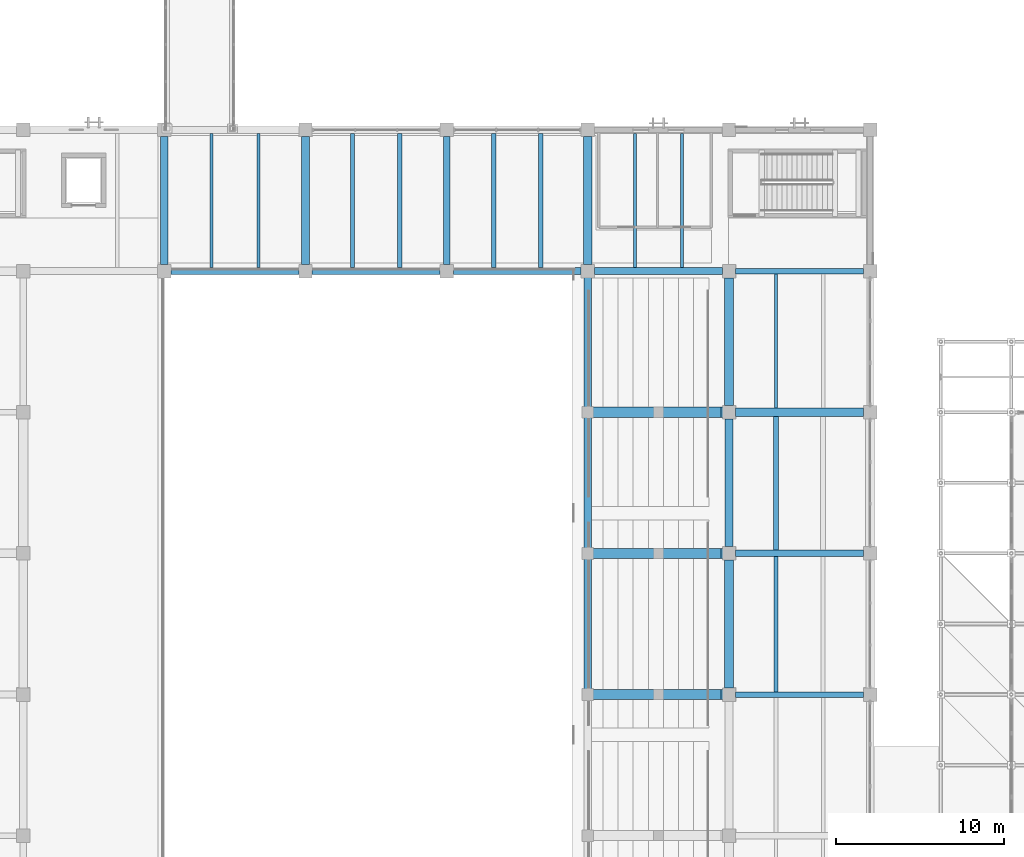
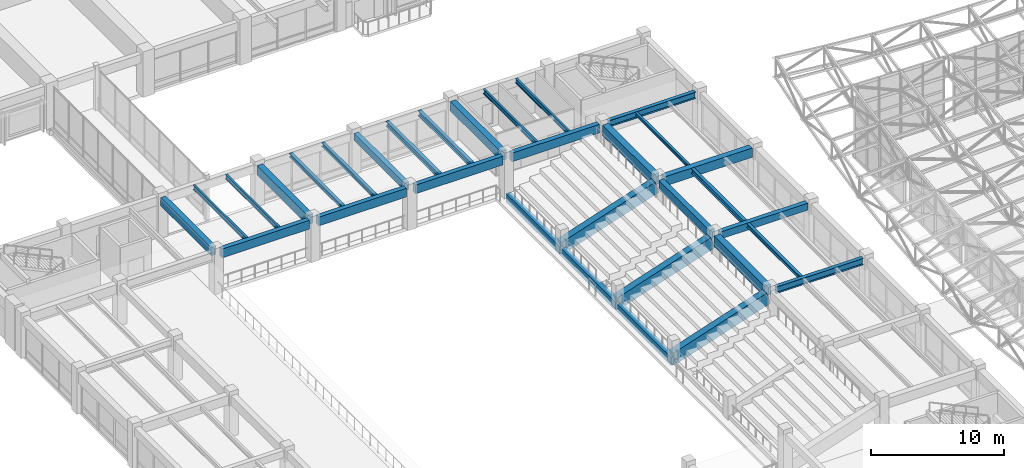
# One storey, part 12 of 132: 32 beams.
"""IFC4 building model written with IfcOpenShell, lengths in metres."""

from ifc_helpers import new_model, si_unit, direction, frame, origin, origin_2d, place, context, subcontext, project, spatial, rectangle, i_section, extrude, material, material_profile, profile_set, type_object, element, save


model = new_model("IFC4")

# Units and contexts
model_context = context("Model", 3, precision=1e-05, world=origin(), true_north=direction((0.0, 1.0)))
body_context = subcontext(model_context, "Body", "Model", "MODEL_VIEW")
ifc_project = project(units=[si_unit("LENGTHUNIT", "METRE"), si_unit("AREAUNIT", "SQUARE_METRE"), si_unit("VOLUMEUNIT", "CUBIC_METRE"), si_unit("PLANEANGLEUNIT", "RADIAN"), si_unit("MASSUNIT", "GRAM", prefix="KILO")], contexts=[model_context])

# Site, building, storey
site_placement = place(None, origin())
site = spatial("IfcSite", under=ifc_project, at=site_placement, CompositionType="ELEMENT")
building_placement = place(site_placement, origin())
building = spatial("IfcBuilding", under=site, at=building_placement, Name="Cumbredor Promenade Congress Hotel", CompositionType="ELEMENT")
storey_placement = place(building_placement, frame((0.0, 0.0, 7.56005859375)))
storey = spatial("IfcBuildingStorey", under=building, at=storey_placement, Name="L02", CompositionType="ELEMENT", Elevation=7.56005859375)

# Beams
ifc_material_1 = material(Name="Concrete C40/50", Category="concrete")
ifc_material_profile_1 = material_profile(ifc_material_1, rectangle(XDim=0.39990234375, YDim=0.64990234375, at=origin_2d()), Name="RC BEAM 400x650")
ifc_profile_set_1 = profile_set([ifc_material_profile_1], Name="Concrete C40/50")
beam_type_1 = type_object("IfcBeamType", Name="BM-RC-400x650", PredefinedType="BEAM", material=ifc_profile_set_1)
for number, where, z_axis, x_axis, name in (
    (1, (42.0, 59.199951171875, 3.474853515625), (0.0, 1.0, 0.0), (-1.0, 0.0, 0.0), "L03 Y-Grid Beam 072"),
    (2, (59.199951171875, 42.0, 3.474853515625), (1.0, 0.0, 0.0), (0.0, 1.0, 0.0), "L03 X-Grid Beam 100"),
):
    element("IfcBeam", number, at=place(storey_placement, frame(where, z_axis=z_axis, x_axis=x_axis)), inside=storey, type_object=beam_type_1, Name=name, PredefinedType="BEAM", context=body_context, shape_type="SweptSolid", body=[
        extrude(rectangle(XDim=0.39990234375, YDim=0.64990234375, at=origin_2d()), origin(), (0.0, 0.0, 1.0), 7.60009765625),
    ])
ifc_material_profile_2 = material_profile(ifc_material_1, rectangle(XDim=0.449951171875, YDim=0.75, at=origin_2d()), Name="RC BEAM 450x750")
ifc_profile_set_2 = profile_set([ifc_material_profile_2], Name="Concrete C40/50")
beam_type_2 = type_object("IfcBeamType", Name="BM-RC-450x750", PredefinedType="BEAM", material=ifc_profile_set_2)
for number, where, z_axis, x_axis, name in (
    (3, (25.199951171875, 59.199951171875, 3.425048828125), (0.0, 1.0, 0.0), (-1.0, 0.0, 0.0), "L03 Y-Grid Beam 053"),
    (4, (58.800048828125, 42.39990234375, 3.425048828125), (0.0, 1.0, 0.0), (-1.0, 0.0, 0.0), "L03 Y-Grid Beam 101"),
):
    element("IfcBeam", number, at=place(storey_placement, frame(where, z_axis=z_axis, x_axis=x_axis)), inside=storey, type_object=beam_type_2, Name=name, PredefinedType="BEAM", context=body_context, shape_type="SweptSolid", body=[
        extrude(rectangle(XDim=0.449951171875, YDim=0.75, at=origin_2d()), origin(), (0.0, 0.0, 1.0), 7.60009765625),
    ])
for number, where, z_axis, x_axis, name in (
    (5, (50.39990234375, 33.60009765625, 0.030029296875), (0.0, 1.0, 0.0), (-1.0, 0.0, 0.0), "L02 Balcony Front Cross Stringer 3"),
    (6, (50.39990234375, 42.0, 0.030029296875), (0.0, 1.0, 0.0), (-1.0, 0.0, 0.0), "L02 Balcony Front Cross Stringer 4"),
):
    element("IfcBeam", number, at=place(storey_placement, frame(where, z_axis=z_axis, x_axis=x_axis)), inside=storey, type_object=beam_type_2, Name=name, PredefinedType="BEAM", context=body_context, shape_type="SweptSolid", body=[
        extrude(rectangle(XDim=0.449951171875, YDim=0.75, at=origin_2d()), origin(), (0.0, 0.0, 1.0), 8.39990234375),
    ])
beam_1_placement = place(storey_placement, frame((50.39990234375, 50.39990234375, 0.030029296875), z_axis=(0.0, 1.0, 0.0), x_axis=(-1.0, 0.0, 0.0)))
element("IfcBeam", 7, at=beam_1_placement, inside=storey, type_object=beam_type_2, Name="L02 Balcony Front Cross Stringer 5", PredefinedType="BEAM", context=body_context, shape_type="SweptSolid", body=[
    extrude(rectangle(XDim=0.449951171875, YDim=0.75, at=origin_2d()), origin(), (0.0, 0.0, 1.0), 8.050048828125),
])
ifc_material_profile_3 = material_profile(ifc_material_1, rectangle(XDim=0.5, YDim=0.85009765625, at=origin_2d()), Name="RC BEAM 500x850")
ifc_profile_set_3 = profile_set([ifc_material_profile_3], Name="Concrete C40/50")
beam_type_3 = type_object("IfcBeamType", Name="BM-RC-500x850", PredefinedType="BEAM", material=ifc_profile_set_3)
for number, where, z_axis, x_axis, name in (
    (8, (33.60009765625, 59.199951171875, 3.375), (0.0, 1.0, 0.0), (-1.0, 0.0, 0.0), "L03 Y-Grid Beam 062"),
    (9, (50.39990234375, 59.199951171875, 3.375), (0.0, 1.0, 0.0), (-1.0, 0.0, 0.0), "L03 Y-Grid Beam 082"),
    (10, (59.199951171875, 50.39990234375, 3.375), (1.0, 0.0, 0.0), (0.0, 1.0, 0.0), "L03 X-Grid Beam 102"),
):
    element("IfcBeam", number, at=place(storey_placement, frame(where, z_axis=z_axis, x_axis=x_axis)), inside=storey, type_object=beam_type_3, Name=name, PredefinedType="BEAM", context=body_context, shape_type="SweptSolid", body=[
        extrude(rectangle(XDim=0.5, YDim=0.85009765625, at=origin_2d()), origin(), (0.0, 0.0, 1.0), 7.60009765625),
    ])
ifc_material_profile_4 = material_profile(ifc_material_1, rectangle(XDim=0.550048828125, YDim=0.949951171875, at=origin_2d()), Name="RC BEAM 550x950")
ifc_profile_set_4 = profile_set([ifc_material_profile_4], Name="Concrete C40/50")
beam_type_4 = type_object("IfcBeamType", Name="BM-RC-550x950", PredefinedType="BEAM", material=ifc_profile_set_4)
beam_2_placement = place(storey_placement, frame((58.800048828125, 34.0, 3.324951171875), z_axis=(0.0, 1.0, 0.0), x_axis=(-1.0, 0.0, 0.0)))
element("IfcBeam", 11, at=beam_2_placement, inside=storey, type_object=beam_type_4, Name="L03 Y-Grid Beam 099", PredefinedType="BEAM", context=body_context, shape_type="SweptSolid", body=[
    extrude(rectangle(XDim=0.550048828125, YDim=0.949951171875, at=origin_2d()), origin(), (0.0, 0.0, 1.0), 7.60009765625),
])
beam_3_placement = place(storey_placement, frame((58.800048828125, 50.800048828125, 3.324951171875), z_axis=(0.0, 1.0, 0.0), x_axis=(-1.0, 0.0, 0.0)))
element("IfcBeam", 12, at=beam_3_placement, inside=storey, type_object=beam_type_4, Name="L03 Y-Grid Beam 103", PredefinedType="BEAM", context=body_context, shape_type="SweptSolid", body=[
    extrude(rectangle(XDim=0.550048828125, YDim=0.949951171875, at=origin_2d()), origin(), (0.0, 0.0, 1.0), 7.599853515625),
])
ifc_material_2 = material(Name="Steel ASTM A992 Grade 50", Category="steel")
ifc_material_profile_5 = material_profile(ifc_material_2, i_section(OverallWidth=0.323974609375, OverallDepth=0.611083984375, WebThickness=0.0126953125, FlangeThickness=0.01904296875, at=origin_2d()), Name="W24X104")
ifc_profile_set_5 = profile_set([ifc_material_profile_5], Name="Steel ASTM A992 Grade 50")
beam_type_5 = type_object("IfcBeamType", Name="BM-W24X104", PredefinedType="BEAM", material=ifc_profile_set_5)
for number, where, z_axis, x_axis, name in (
    (13, (59.199951171875, 33.60009765625, 3.494384765625), (1.0, 0.0, 0.0), (0.0, 1.0, 0.0), "L03 X-Grid Beam 098"),
    (14, (59.199951171875, 58.800048828125, 3.494384765625), (1.0, 0.0, 0.0), (0.0, 1.0, 0.0), "L03 X-Grid Beam 104"),
):
    element("IfcBeam", number, at=place(storey_placement, frame(where, z_axis=z_axis, x_axis=x_axis)), inside=storey, type_object=beam_type_5, Name=name, PredefinedType="BEAM", context=body_context, shape_type="SweptSolid", body=[
        extrude(i_section(OverallWidth=0.323974609375, OverallDepth=0.611083984375, WebThickness=0.0126953125, FlangeThickness=0.01904296875, at=origin_2d()), origin(), (0.0, 0.0, 1.0), 7.60009765625),
    ])
ifc_material_profile_6 = material_profile(ifc_material_2, i_section(OverallWidth=0.202880859375, OverallDepth=0.302978515625, WebThickness=0.007568359375, FlangeThickness=0.01318359375, at=origin_2d()), Name="W12X40")
ifc_profile_set_6 = profile_set([ifc_material_profile_6], Name="Steel ASTM A992 Grade 50")
beam_type_6 = type_object("IfcBeamType", Name="JST-W12X40", PredefinedType="JOIST", material=ifc_profile_set_6)
beam_4_placement = place(storey_placement, frame((61.60009765625, 50.64990234375, 3.6484375), z_axis=(0.0, 1.0, 0.0), x_axis=(-1.0, 0.0, 0.0)))
element("IfcBeam", 15, at=beam_4_placement, inside=storey, type_object=beam_type_6, Name="L03 Secondary Floor Joist 0056", PredefinedType="JOIST", context=body_context, shape_type="SweptSolid", body=[
    extrude(i_section(OverallWidth=0.202880859375, OverallDepth=0.302978515625, WebThickness=0.007568359375, FlangeThickness=0.01318359375, at=origin_2d()), origin(), (0.0, 0.0, 1.0), 7.988037109375),
])
ifc_material_profile_7 = material_profile(ifc_material_2, i_section(OverallWidth=0.2548828125, OverallDepth=0.35693359375, WebThickness=0.010498046875, FlangeThickness=0.018310546875, at=origin_2d()), Name="W14X68")
ifc_profile_set_7 = profile_set([ifc_material_profile_7], Name="Steel ASTM A992 Grade 50")
beam_type_7 = type_object("IfcBeamType", Name="JST-W14X68", PredefinedType="JOIST", material=ifc_profile_set_7)
for number, where, z_axis, x_axis, name in (
    (16, (36.39990234375, 59.0, 3.621337890625), (0.0, 1.0, 0.0), (-1.0, 0.0, 0.0), "L03 Secondary Floor Joist 0032"),
    (17, (39.199951171875, 59.0, 3.621337890625), (0.0, 1.0, 0.0), (-1.0, 0.0, 0.0), "L03 Secondary Floor Joist 0033"),
):
    element("IfcBeam", number, at=place(storey_placement, frame(where, z_axis=z_axis, x_axis=x_axis)), inside=storey, type_object=beam_type_7, Name=name, PredefinedType="JOIST", context=body_context, shape_type="SweptSolid", body=[
        extrude(i_section(OverallWidth=0.2548828125, OverallDepth=0.35693359375, WebThickness=0.010498046875, FlangeThickness=0.018310546875, at=origin_2d()), origin(), (0.0, 0.0, 1.0), 8.0),
    ])
beam_5_placement = place(storey_placement, frame((61.60009765625, 33.761962890625, 3.621337890625), z_axis=(0.0, 1.0, 0.0), x_axis=(-1.0, 0.0, 0.0)))
element("IfcBeam", 18, at=beam_5_placement, inside=storey, type_object=beam_type_7, Name="L03 Secondary Floor Joist 0052", PredefinedType="JOIST", context=body_context, shape_type="SweptSolid", body=[
    extrude(i_section(OverallWidth=0.2548828125, OverallDepth=0.35693359375, WebThickness=0.010498046875, FlangeThickness=0.018310546875, at=origin_2d()), origin(), (0.0, 0.0, 1.0), 8.0380859375),
])
ifc_material_profile_8 = material_profile(ifc_material_2, i_section(OverallWidth=0.180908203125, OverallDepth=0.4169921875, WebThickness=0.010986328125, FlangeThickness=0.018310546875, at=origin_2d()), Name="W16X57")
ifc_profile_set_8 = profile_set([ifc_material_profile_8], Name="Steel ASTM A992 Grade 50")
beam_type_8 = type_object("IfcBeamType", Name="JST-W16X57", PredefinedType="JOIST", material=ifc_profile_set_8)
for number, where, z_axis, x_axis, name in (
    (19, (28.0, 59.0, 3.591552734375), (0.0, 1.0, 0.0), (-1.0, 0.0, 0.0), "L03 Secondary Floor Joist 0028"),
    (20, (30.800048828125, 59.0, 3.591552734375), (0.0, 1.0, 0.0), (-1.0, 0.0, 0.0), "L03 Secondary Floor Joist 0029"),
    (21, (53.199951171875, 59.0, 3.591552734375), (0.0, 1.0, 0.0), (-1.0, 0.0, 0.0), "L03 Secondary Floor Joist 0038"),
    (22, (56.0, 59.0, 3.591552734375), (0.0, 1.0, 0.0), (-1.0, 0.0, 0.0), "L03 Secondary Floor Joist 0039"),
):
    element("IfcBeam", number, at=place(storey_placement, frame(where, z_axis=z_axis, x_axis=x_axis)), inside=storey, type_object=beam_type_8, Name=name, PredefinedType="JOIST", context=body_context, shape_type="SweptSolid", body=[
        extrude(i_section(OverallWidth=0.180908203125, OverallDepth=0.4169921875, WebThickness=0.010986328125, FlangeThickness=0.018310546875, at=origin_2d()), origin(), (0.0, 0.0, 1.0), 8.0),
    ])
ifc_material_profile_9 = material_profile(ifc_material_2, i_section(OverallWidth=0.280029296875, OverallDepth=0.462890625, WebThickness=0.0107421875, FlangeThickness=0.017333984375, at=origin_2d()), Name="W18X76")
ifc_profile_set_9 = profile_set([ifc_material_profile_9], Name="Steel ASTM A992 Grade 50")
beam_type_9 = type_object("IfcBeamType", Name="JST-W18X76", PredefinedType="JOIST", material=ifc_profile_set_9)
for number, where, z_axis, x_axis, name in (
    (23, (44.800048828125, 59.0, 3.568359375), (0.0, 1.0, 0.0), (-1.0, 0.0, 0.0), "L03 Secondary Floor Joist 0034"),
    (24, (47.60009765625, 59.0, 3.568359375), (0.0, 1.0, 0.0), (-1.0, 0.0, 0.0), "L03 Secondary Floor Joist 0035"),
):
    element("IfcBeam", number, at=place(storey_placement, frame(where, z_axis=z_axis, x_axis=x_axis)), inside=storey, type_object=beam_type_9, Name=name, PredefinedType="JOIST", context=body_context, shape_type="SweptSolid", body=[
        extrude(i_section(OverallWidth=0.280029296875, OverallDepth=0.462890625, WebThickness=0.0107421875, FlangeThickness=0.017333984375, at=origin_2d()), origin(), (0.0, 0.0, 1.0), 8.0),
    ])
beam_6_placement = place(storey_placement, frame((61.60009765625, 42.199951171875, 3.568359375), z_axis=(0.0, 1.0, 0.0), x_axis=(-1.0, 0.0, 0.0)))
element("IfcBeam", 25, at=beam_6_placement, inside=storey, type_object=beam_type_9, Name="L03 Secondary Floor Joist 0054", PredefinedType="JOIST", context=body_context, shape_type="SweptSolid", body=[
    extrude(i_section(OverallWidth=0.280029296875, OverallDepth=0.462890625, WebThickness=0.0107421875, FlangeThickness=0.017333984375, at=origin_2d()), origin(), (0.0, 0.0, 1.0), 7.949951171875),
])
ifc_material_3 = material(Name="Concrete C50/60", Category="concrete")
ifc_material_profile_10 = material_profile(ifc_material_3, rectangle(XDim=0.60009765625, YDim=1.10009765625, at=origin_2d()), Name="RC RAKER 600x1100")
ifc_profile_set_10 = profile_set([ifc_material_profile_10], Name="Concrete C50/60")
beam_type_10 = type_object("IfcBeamType", Name="RK-RC-600x1100", PredefinedType="USERDEFINED", material=ifc_profile_set_10)
for number, where, z_axis, x_axis, name in (
    (26, (50.35009765625, 33.60009765625, 0.429931640625), (0.949264632756, 0.0, 0.314478388762), (0.0, 1.0, 0.0), "Plenary Hall Upper Raker Beam Y33"),
    (27, (50.35009765625, 42.0, 0.429931640625), (0.949264632756, 0.0, 0.314478388762), (0.0, 1.0, 0.0), "Plenary Hall Upper Raker Beam Y42"),
    (28, (50.35009765625, 50.39990234375, 0.429931640625), (0.949264632756, 0.0, 0.314478388762), (0.0, 1.0, 0.0), "Plenary Hall Upper Raker Beam Y50"),
):
    element("IfcBeam", number, at=place(storey_placement, frame(where, z_axis=z_axis, x_axis=x_axis)), inside=storey, type_object=beam_type_10, Name=name, ObjectType="RAKER BEAM", PredefinedType="USERDEFINED", context=body_context, shape_type="SweptSolid", body=[
        extrude(rectangle(XDim=0.60009765625, YDim=1.10009765625, at=origin_2d()), origin(), (0.0, 0.0, 1.0), 8.58544921875),
    ])
ifc_material_profile_11 = material_profile(ifc_material_1, rectangle(XDim=0.39990234375, YDim=0.800048828125, at=origin_2d()), Name="RC SPANDREL 400x800")
ifc_profile_set_11 = profile_set([ifc_material_profile_11], Name="Concrete C40/50")
beam_type_11 = type_object("IfcBeamType", Name="SP-RC-400x800", PredefinedType="SPANDREL", material=ifc_profile_set_11)
beam_7_placement = place(storey_placement, frame((25.60009765625, 58.800048828125, 3.39990234375), z_axis=(1.0, 0.0, 0.0), x_axis=(0.0, 1.0, 0.0)))
element("IfcBeam", 29, at=beam_7_placement, inside=storey, type_object=beam_type_11, Name="L03 X-Grid Beam 052", PredefinedType="SPANDREL", context=body_context, shape_type="SweptSolid", body=[
    extrude(rectangle(XDim=0.39990234375, YDim=0.800048828125, at=origin_2d()), origin(), (0.0, 0.0, 1.0), 7.599853515625),
])
for number, where, z_axis, x_axis, name in (
    (30, (34.0, 58.800048828125, 3.39990234375), (1.0, 0.0, 0.0), (0.0, 1.0, 0.0), "L03 X-Grid Beam 061"),
    (31, (42.39990234375, 58.800048828125, 3.39990234375), (1.0, 0.0, 0.0), (0.0, 1.0, 0.0), "L03 X-Grid Beam 071"),
):
    element("IfcBeam", number, at=place(storey_placement, frame(where, z_axis=z_axis, x_axis=x_axis)), inside=storey, type_object=beam_type_11, Name=name, PredefinedType="SPANDREL", context=body_context, shape_type="SweptSolid", body=[
        extrude(rectangle(XDim=0.39990234375, YDim=0.800048828125, at=origin_2d()), origin(), (0.0, 0.0, 1.0), 7.60009765625),
    ])
beam_8_placement = place(storey_placement, frame((50.800048828125, 58.800048828125, 3.39990234375), z_axis=(1.0, 0.0, 0.0), x_axis=(0.0, 1.0, 0.0)))
element("IfcBeam", 32, at=beam_8_placement, inside=storey, type_object=beam_type_11, Name="L03 X-Grid Beam 081", PredefinedType="SPANDREL", context=body_context, shape_type="SweptSolid", body=[
    extrude(rectangle(XDim=0.39990234375, YDim=0.800048828125, at=origin_2d()), origin(), (0.0, 0.0, 1.0), 7.599853515625),
])

save(model, "model.ifc")
